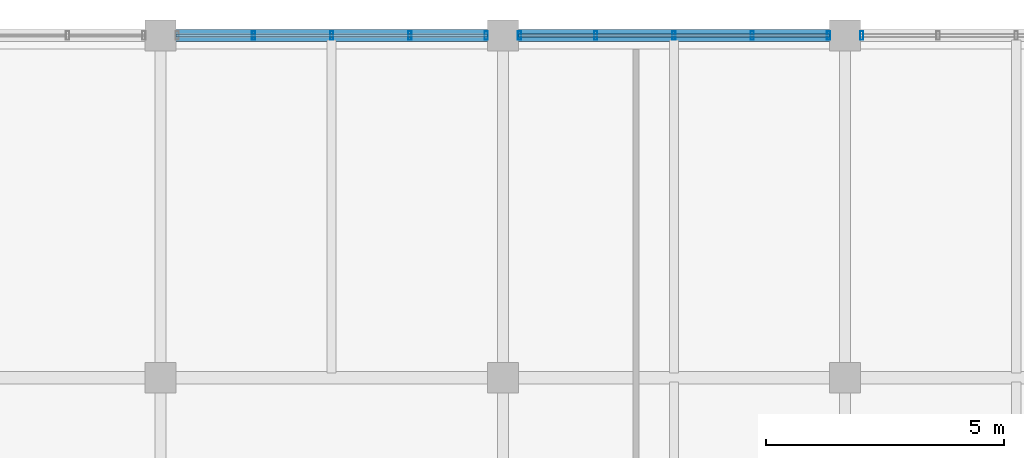
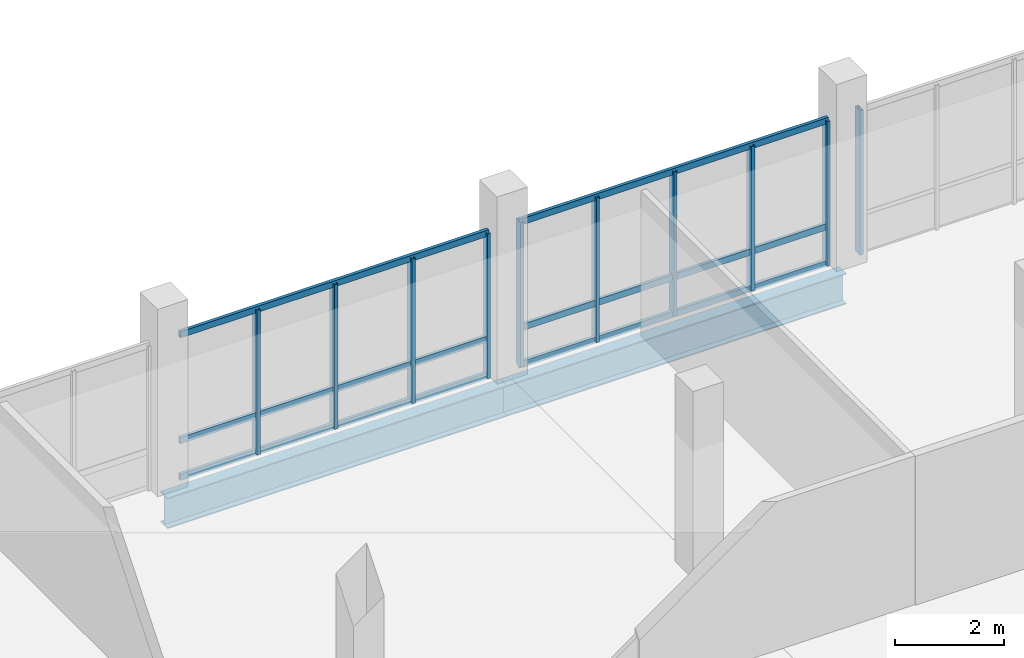
# One storey, part 89 of 144: 16 members, 2 beams, 3 elements without a shape of their own.
"""IFC4 building model written with IfcOpenShell, lengths in metres."""

from ifc_helpers import new_model, si_unit, direction, frame, origin, origin_2d, place, context, subcontext, project, spatial, hollow_rectangle, i_section, extrude, material, material_profile, profile_set, type_object, element, aggregate, save


model = new_model("IFC4")

# Units and contexts
model_context = context("Model", 3, precision=1e-05, world=origin(), true_north=direction((0.0, 1.0)))
body_context = subcontext(model_context, "Body", "Model", "MODEL_VIEW")
ifc_project = project(units=[si_unit("LENGTHUNIT", "METRE"), si_unit("AREAUNIT", "SQUARE_METRE"), si_unit("VOLUMEUNIT", "CUBIC_METRE"), si_unit("PLANEANGLEUNIT", "RADIAN"), si_unit("MASSUNIT", "GRAM", prefix="KILO")], contexts=[model_context])

# Site, building, storey
site_placement = place(None, origin())
site = spatial("IfcSite", under=ifc_project, at=site_placement, CompositionType="ELEMENT")
building_placement = place(site_placement, origin())
building = spatial("IfcBuilding", under=site, at=building_placement, Name="Yarey Park Central Fire Station", CompositionType="ELEMENT")
storey_placement = place(building_placement, frame((0.0, 0.0, 10.199951171875)))
storey = spatial("IfcBuildingStorey", under=building, at=storey_placement, Name="L03", CompositionType="ELEMENT", Elevation=10.199951171875)

# Curtain wall, members
ifc_material_1 = material(Name="Anodized Aluminium Frame", Category="aluminium")
curtain_wall_type = type_object("IfcCurtainWallType", Name="ENV_CW_HQ_L03", PredefinedType="NOTDEFINED", material=ifc_material_1)
curtain_wall_1_placement = place(storey_placement, origin())
curtain_wall_1 = element("IfcCurtainWall", 1, at=curtain_wall_1_placement, inside=storey, type_object=curtain_wall_type, Name="CW_L03_V4_N_4", PredefinedType="NOTDEFINED")
ifc_material_profile_1 = material_profile(ifc_material_1, hollow_rectangle(XDim=0.070068359375, YDim=0.179931640625, WallThickness=0.00390625, at=origin_2d()), Name="ALU 180x70x4")
ifc_profile_set_1 = profile_set([ifc_material_profile_1], Name="Anodized Aluminium Frame")
member_type_1 = type_object("IfcMemberType", Name="ENV_CW_MULLION", PredefinedType="MULLION", material=ifc_profile_set_1)
member_1_placement = place(storey_placement, frame((143.64990234375, 115.199951171875, 0.0), z_axis=(0.0, 0.0, 1.0), x_axis=(1.0, 0.0, 0.0)))
member_1 = element("IfcMember", 2, at=member_1_placement, type_object=member_type_1, Name="CW_L03_V4_N_4_MUL1", PredefinedType="MULLION", context=body_context, shape_type="SweptSolid", body=[
    extrude(hollow_rectangle(XDim=0.070068359375, YDim=0.179931640625, WallThickness=0.00390625, at=origin_2d()), origin(), (0.0, 0.0, 1.0), 3.25),
])
member_2_placement = place(storey_placement, frame((142.044921875, 115.199951171875, 0.0), z_axis=(0.0, 0.0, 1.0), x_axis=(1.0, 0.0, 0.0)))
member_2 = element("IfcMember", 3, at=member_2_placement, type_object=member_type_1, Name="CW_L03_V4_N_4_MUL2", PredefinedType="MULLION", context=body_context, shape_type="SweptSolid", body=[
    extrude(hollow_rectangle(XDim=0.070068359375, YDim=0.179931640625, WallThickness=0.00390625, at=origin_2d()), origin(), (0.0, 0.0, 1.0), 3.25),
])
member_3_placement = place(storey_placement, frame((140.39990234375, 115.199951171875, 0.0), z_axis=(0.0, 0.0, 1.0), x_axis=(1.0, 0.0, 0.0)))
member_3 = element("IfcMember", 4, at=member_3_placement, type_object=member_type_1, Name="CW_L03_V4_N_4_MUL3", PredefinedType="MULLION", context=body_context, shape_type="SweptSolid", body=[
    extrude(hollow_rectangle(XDim=0.070068359375, YDim=0.179931640625, WallThickness=0.00390625, at=origin_2d()), origin(), (0.0, 0.0, 1.0), 3.25),
])
member_4_placement = place(storey_placement, frame((138.7548828125, 115.199951171875, 0.0), z_axis=(0.0, 0.0, 1.0), x_axis=(1.0, 0.0, 0.0)))
member_4 = element("IfcMember", 5, at=member_4_placement, type_object=member_type_1, Name="CW_L03_V4_N_4_MUL4", PredefinedType="MULLION", context=body_context, shape_type="SweptSolid", body=[
    extrude(hollow_rectangle(XDim=0.070068359375, YDim=0.179931640625, WallThickness=0.00390625, at=origin_2d()), origin(), (0.0, 0.0, 1.0), 3.25),
])

curtain_wall_2_placement = place(storey_placement, origin())
curtain_wall_2 = element("IfcCurtainWall", 6, at=curtain_wall_2_placement, inside=storey, type_object=curtain_wall_type, Name="CW_L03_V4_N_5", PredefinedType="NOTDEFINED")
member_5_placement = place(storey_placement, frame((150.85009765625, 115.199951171875, 0.0), z_axis=(0.0, 0.0, 1.0), x_axis=(1.0, 0.0, 0.0)))
member_5 = element("IfcMember", 7, at=member_5_placement, type_object=member_type_1, Name="CW_L03_V4_N_5_MUL1", PredefinedType="MULLION", context=body_context, shape_type="SweptSolid", body=[
    extrude(hollow_rectangle(XDim=0.070068359375, YDim=0.179931640625, WallThickness=0.00390625, at=origin_2d()), origin(), (0.0, 0.0, 1.0), 3.25),
])
member_6_placement = place(storey_placement, frame((149.2451171875, 115.199951171875, 0.0), z_axis=(0.0, 0.0, 1.0), x_axis=(1.0, 0.0, 0.0)))
member_6 = element("IfcMember", 8, at=member_6_placement, type_object=member_type_1, Name="CW_L03_V4_N_5_MUL2", PredefinedType="MULLION", context=body_context, shape_type="SweptSolid", body=[
    extrude(hollow_rectangle(XDim=0.070068359375, YDim=0.179931640625, WallThickness=0.00390625, at=origin_2d()), origin(), (0.0, 0.0, 1.0), 3.25),
])
member_7_placement = place(storey_placement, frame((147.60009765625, 115.199951171875, 0.0), z_axis=(0.0, 0.0, 1.0), x_axis=(1.0, 0.0, 0.0)))
member_7 = element("IfcMember", 9, at=member_7_placement, type_object=member_type_1, Name="CW_L03_V4_N_5_MUL3", PredefinedType="MULLION", context=body_context, shape_type="SweptSolid", body=[
    extrude(hollow_rectangle(XDim=0.070068359375, YDim=0.179931640625, WallThickness=0.00390625, at=origin_2d()), origin(), (0.0, 0.0, 1.0), 3.25),
])
member_8_placement = place(storey_placement, frame((145.955078125, 115.199951171875, 0.0), z_axis=(0.0, 0.0, 1.0), x_axis=(1.0, 0.0, 0.0)))
member_8 = element("IfcMember", 10, at=member_8_placement, type_object=member_type_1, Name="CW_L03_V4_N_5_MUL4", PredefinedType="MULLION", context=body_context, shape_type="SweptSolid", body=[
    extrude(hollow_rectangle(XDim=0.070068359375, YDim=0.179931640625, WallThickness=0.00390625, at=origin_2d()), origin(), (0.0, 0.0, 1.0), 3.25),
])
member_9_placement = place(storey_placement, frame((144.35009765625, 115.199951171875, 0.0), z_axis=(0.0, 0.0, 1.0), x_axis=(1.0, 0.0, 0.0)))
member_9 = element("IfcMember", 11, at=member_9_placement, type_object=member_type_1, Name="CW_L03_V4_N_5_MUL5", PredefinedType="MULLION", context=body_context, shape_type="SweptSolid", body=[
    extrude(hollow_rectangle(XDim=0.070068359375, YDim=0.179931640625, WallThickness=0.00390625, at=origin_2d()), origin(), (0.0, 0.0, 1.0), 3.25),
])

# Curtain wall, member
curtain_wall_3_placement = place(storey_placement, origin())
curtain_wall_3 = element("IfcCurtainWall", 12, at=curtain_wall_3_placement, inside=storey, type_object=curtain_wall_type, Name="CW_L03_V4_N_6", PredefinedType="NOTDEFINED")
member_10_placement = place(storey_placement, frame((151.550048828125, 115.199951171875, 0.0), z_axis=(0.0, 0.0, 1.0), x_axis=(1.0, 0.0, 0.0)))
member_10 = element("IfcMember", 13, at=member_10_placement, type_object=member_type_1, Name="CW_L03_V4_N_6_MUL5", PredefinedType="MULLION", context=body_context, shape_type="SweptSolid", body=[
    extrude(hollow_rectangle(XDim=0.070068359375, YDim=0.179931640625, WallThickness=0.00390625, at=origin_2d()), origin(), (0.0, 0.0, 1.0), 3.25),
])
aggregate(curtain_wall_3, [member_10])

# Member
ifc_material_profile_2 = material_profile(ifc_material_1, hollow_rectangle(XDim=0.070068359375, YDim=0.139892578125, WallThickness=0.00390625, at=origin_2d()), Name="ALU 140x70x4")
ifc_profile_set_2 = profile_set([ifc_material_profile_2], Name="Anodized Aluminium Frame")
member_type_2 = type_object("IfcMemberType", Name="ENV_CW_TRANSOM", PredefinedType="USERDEFINED", material=ifc_profile_set_2)
member_11_placement = place(storey_placement, frame((143.675048828125, 115.199951171875, 0.025146484375), z_axis=(-1.0, 0.0, 0.0), x_axis=(0.0, -1.0, 0.0)))
member_11 = element("IfcMember", 14, at=member_11_placement, type_object=member_type_2, Name="CW_L03_V4_N_4_TRN1", ObjectType="TRANSOM", PredefinedType="USERDEFINED", context=body_context, shape_type="SweptSolid", body=[
    extrude(hollow_rectangle(XDim=0.070068359375, YDim=0.139892578125, WallThickness=0.00390625, at=origin_2d()), origin(), (0.0, 0.0, 1.0), 6.550048828125),
])

member_12_placement = place(storey_placement, frame((143.675048828125, 115.199951171875, 0.85009765625), z_axis=(-1.0, 0.0, 0.0), x_axis=(0.0, -1.0, 0.0)))
member_12 = element("IfcMember", 15, at=member_12_placement, type_object=member_type_2, Name="CW_L03_V4_N_4_TRN2", ObjectType="TRANSOM", PredefinedType="USERDEFINED", context=body_context, shape_type="SweptSolid", body=[
    extrude(hollow_rectangle(XDim=0.070068359375, YDim=0.139892578125, WallThickness=0.00390625, at=origin_2d()), origin(), (0.0, 0.0, 1.0), 6.550048828125),
])

member_13_placement = place(storey_placement, frame((143.675048828125, 115.199951171875, 3.22509765625), z_axis=(-1.0, 0.0, 0.0), x_axis=(0.0, -1.0, 0.0)))
member_13 = element("IfcMember", 16, at=member_13_placement, type_object=member_type_2, Name="CW_L03_V4_N_4_TRN3", ObjectType="TRANSOM", PredefinedType="USERDEFINED", context=body_context, shape_type="SweptSolid", body=[
    extrude(hollow_rectangle(XDim=0.070068359375, YDim=0.139892578125, WallThickness=0.00390625, at=origin_2d()), origin(), (0.0, 0.0, 1.0), 6.550048828125),
])

aggregate(curtain_wall_1, [member_1, member_2, member_3, member_4, member_11, member_12, member_13])

member_14_placement = place(storey_placement, frame((150.875, 115.199951171875, 0.025146484375), z_axis=(-1.0, 0.0, 0.0), x_axis=(0.0, -1.0, 0.0)))
member_14 = element("IfcMember", 17, at=member_14_placement, type_object=member_type_2, Name="CW_L03_V4_N_5_TRN1", ObjectType="TRANSOM", PredefinedType="USERDEFINED", context=body_context, shape_type="SweptSolid", body=[
    extrude(hollow_rectangle(XDim=0.070068359375, YDim=0.139892578125, WallThickness=0.00390625, at=origin_2d()), origin(), (0.0, 0.0, 1.0), 6.550048828125),
])

member_15_placement = place(storey_placement, frame((150.875, 115.199951171875, 0.85009765625), z_axis=(-1.0, 0.0, 0.0), x_axis=(0.0, -1.0, 0.0)))
member_15 = element("IfcMember", 18, at=member_15_placement, type_object=member_type_2, Name="CW_L03_V4_N_5_TRN2", ObjectType="TRANSOM", PredefinedType="USERDEFINED", context=body_context, shape_type="SweptSolid", body=[
    extrude(hollow_rectangle(XDim=0.070068359375, YDim=0.139892578125, WallThickness=0.00390625, at=origin_2d()), origin(), (0.0, 0.0, 1.0), 6.550048828125),
])

member_16_placement = place(storey_placement, frame((150.875, 115.199951171875, 3.22509765625), z_axis=(-1.0, 0.0, 0.0), x_axis=(0.0, -1.0, 0.0)))
member_16 = element("IfcMember", 19, at=member_16_placement, type_object=member_type_2, Name="CW_L03_V4_N_5_TRN3", ObjectType="TRANSOM", PredefinedType="USERDEFINED", context=body_context, shape_type="SweptSolid", body=[
    extrude(hollow_rectangle(XDim=0.070068359375, YDim=0.139892578125, WallThickness=0.00390625, at=origin_2d()), origin(), (0.0, 0.0, 1.0), 6.550048828125),
])

aggregate(curtain_wall_2, [member_5, member_6, member_7, member_8, member_9, member_14, member_15, member_16])

# Beams
ifc_material_2 = material(Name="Steel ASTM A992 Gr. 50", Category="steel")
ifc_material_profile_3 = material_profile(ifc_material_2, i_section(OverallWidth=0.256103515625, OverallDepth=0.693115234375, WebThickness=0.014404296875, FlangeThickness=0.023681640625, at=origin_2d()), Name="W690x170")
ifc_profile_set_3 = profile_set([ifc_material_profile_3], Name="Steel ASTM A992 Gr. 50")
beam_type = type_object("IfcBeamType", Name="STR_BM_W690", PredefinedType="BEAM", material=ifc_profile_set_3)
for number, where, z_axis, x_axis, name in (
    (20, (136.800048828125, 115.199951171875, -0.6064453125), (1.0, 0.0, 0.0), (0.0, 1.0, 0.0), "BMX L03 Y1152 X1368"),
    (21, (144.0, 115.199951171875, -0.6064453125), (1.0, 0.0, 0.0), (0.0, 1.0, 0.0), "BMX L03 Y1152 X1440"),
):
    element("IfcBeam", number, at=place(storey_placement, frame(where, z_axis=z_axis, x_axis=x_axis)), inside=storey, type_object=beam_type, Name=name, PredefinedType="BEAM", context=body_context, shape_type="SweptSolid", body=[
        extrude(i_section(OverallWidth=0.256103515625, OverallDepth=0.693115234375, WebThickness=0.014404296875, FlangeThickness=0.023681640625, at=origin_2d()), origin(), (0.0, 0.0, 1.0), 7.199951171875),
    ])

save(model, "model.ifc")
